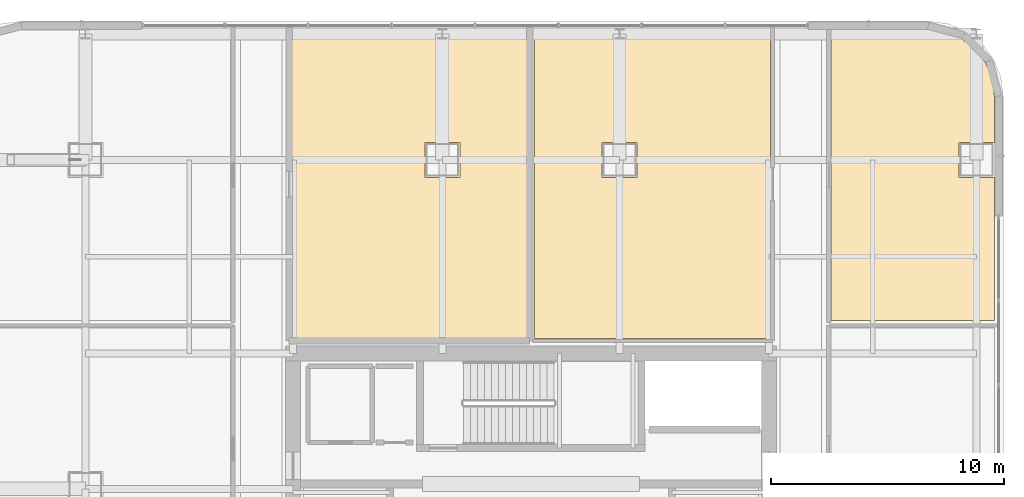
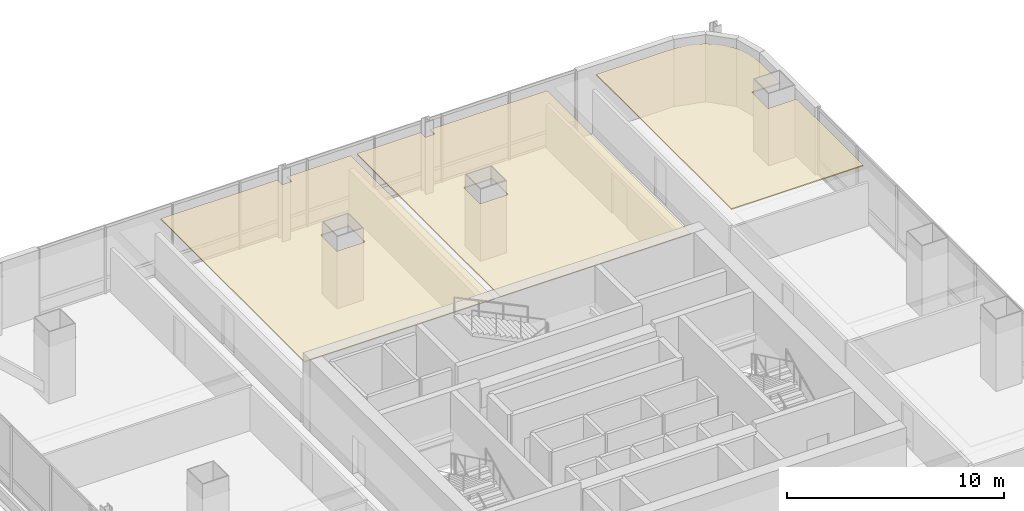
# One storey, part 46 of 47: 3 coverings.
"""IFC4 building model written with IfcOpenShell, lengths in metres."""

from ifc_helpers import new_model, si_unit, direction, frame, origin, place, context, subcontext, project, spatial, polyline, outline, extrude, material, layer, layer_set, type_object, element, save


model = new_model("IFC4")

# Units and contexts
model_context = context("Model", 3, precision=1e-05, world=origin(), true_north=direction((0.0, 1.0)))
body_context = subcontext(model_context, "Body", "Model", "MODEL_VIEW")
ifc_project = project(units=[si_unit("LENGTHUNIT", "METRE"), si_unit("AREAUNIT", "SQUARE_METRE"), si_unit("VOLUMEUNIT", "CUBIC_METRE"), si_unit("PLANEANGLEUNIT", "RADIAN"), si_unit("MASSUNIT", "GRAM", prefix="KILO")], contexts=[model_context])

# Site, building, storey
site_placement = place(None, origin())
site = spatial("IfcSite", under=ifc_project, at=site_placement, CompositionType="ELEMENT")
building_placement = place(site_placement, origin())
building = spatial("IfcBuilding", under=site, at=building_placement, Name="Punatoya Terracotta Tower", CompositionType="ELEMENT")
storey_placement = place(building_placement, frame((0.0, 0.0, 168.14990234375)))
storey = spatial("IfcBuildingStorey", under=building, at=storey_placement, Name="L39", CompositionType="ELEMENT", Elevation=168.14990234375)

# Coverings
ifc_material = material(Name="Acoustic Mineral Fibre Ceiling")
ifc_layer = layer(ifc_material, 0.06005859375)
ifc_layer_set = layer_set([ifc_layer], Name="Acoustic Mineral Fibre Ceiling")
covering_type = type_object("IfcCoveringType", Name="COV-CEIL-60", PredefinedType="CEILING", material=ifc_layer_set)
covering_1_placement = place(storey_placement, frame((0.0, 0.0, 3.22021484375)))
element("IfcCovering", 1, at=covering_1_placement, inside=storey, type_object=covering_type, Name="L39 Open-Plan Fitness Movement Lounge Acoustic Ceiling", PredefinedType="CEILING", context=body_context, shape_type="SweptSolid", body=[
    extrude(outline(polyline([(-3.54541015625, 23.070068359375), (-3.54541015625, 22.637451171875), (-4.054443359375, 22.637451171875), (-4.054443359375, 23.070068359375), (-10.260009765625, 23.070068359375), (-10.260009765625, 9.840087890625), (-0.159912109375, 9.840087890625), (-0.159912109375, 23.070068359375), (-3.54541015625, 23.070068359375)]), holes=[polyline([(-4.550048828125, 16.75), (-4.550048828125, 18.25), (-3.050048828125, 18.25), (-3.050048828125, 16.75), (-4.550048828125, 16.75)])]), origin(), (0.0, 0.0, 1.0), 0.059814453125),
])
covering_2_placement = place(storey_placement, frame((0.0, 0.0, 3.22021484375)))
element("IfcCovering", 2, at=covering_2_placement, inside=storey, type_object=covering_type, Name="L39 Open-Plan Seminar Discussion Room Acoustic Ceiling", PredefinedType="CEILING", context=body_context, shape_type="SweptSolid", body=[
    extrude(outline(polyline([(10.260009765625, 9.840087890625), (10.260009765625, 23.070068359375), (4.054443359375, 23.070068359375), (4.054443359375, 22.637451171875), (3.54541015625, 22.637451171875), (3.54541015625, 23.070068359375), (0.159912109375, 23.070068359375), (0.159912109375, 9.840087890625), (10.260009765625, 9.840087890625)]), holes=[polyline([(4.550048828125, 16.75), (3.050048828125, 16.75), (3.050048828125, 18.25), (4.550048828125, 18.25), (4.550048828125, 16.75)])]), origin(), (0.0, 0.0, 1.0), 0.059814453125),
])
covering_3_placement = place(storey_placement, frame((0.0, 0.0, 3.22021484375)))
element("IfcCovering", 3, at=covering_3_placement, inside=storey, type_object=covering_type, Name="L39 Open-Plan Coaching Briefing Room Acoustic Ceiling", PredefinedType="CEILING", context=body_context, shape_type="SweptSolid", body=[
    extrude(outline(polyline([(17.779052734375, 22.970703125), (17.025146484375, 23.070068359375), (12.8701171875, 23.070068359375), (12.8701171875, 10.6201171875), (19.8701171875, 10.6201171875), (19.8701171875, 16.75), (18.35009765625, 16.75), (18.35009765625, 18.25), (19.8701171875, 18.25), (19.8701171875, 20.22509765625), (19.770751953125, 20.97900390625), (19.489501953125, 21.658203125), (19.041748046875, 22.24169921875), (18.458251953125, 22.689453125), (17.779052734375, 22.970703125)])), origin(), (0.0, 0.0, 1.0), 0.059814453125),
])

save(model, "model.ifc")
